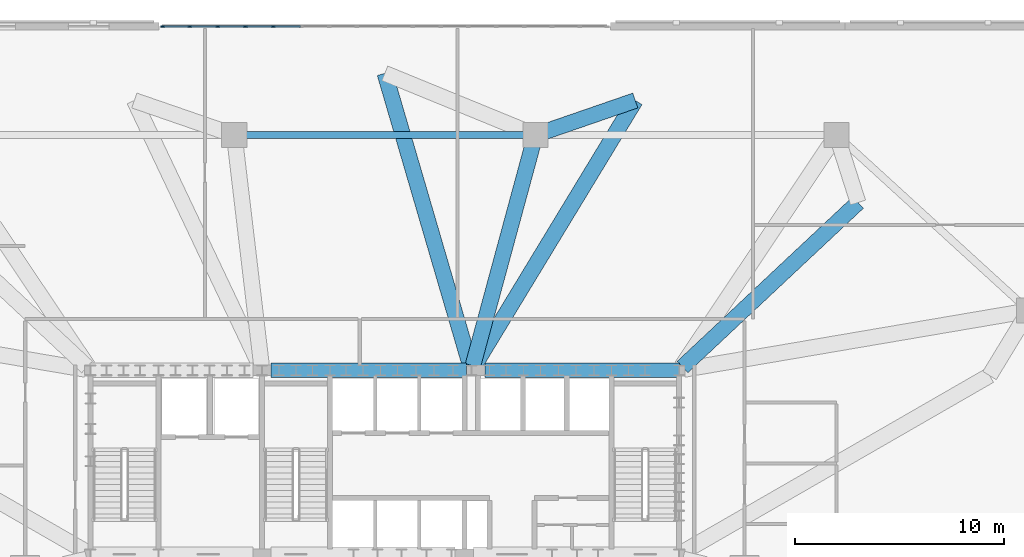
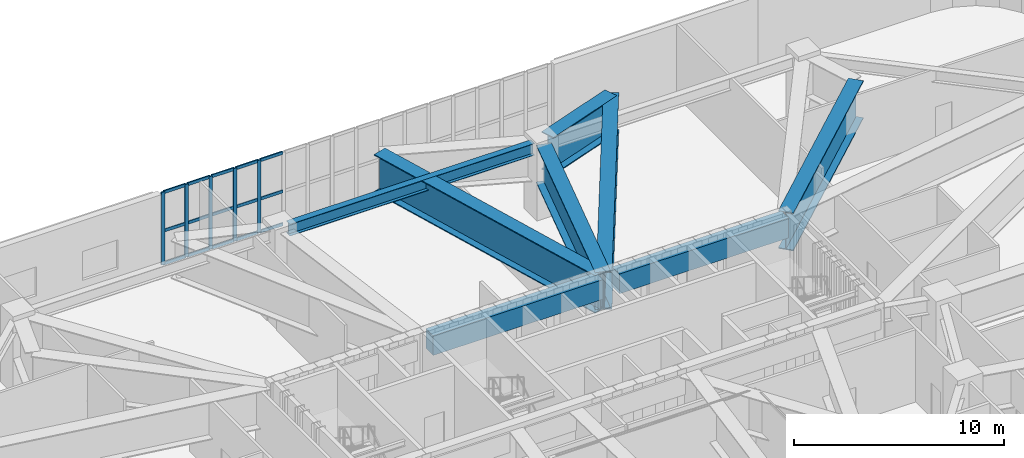
# One storey, part 10 of 26: 20 members, 8 beams, 1 element without a shape of its own.
"""IFC4 building model written with IfcOpenShell, lengths in metres."""

from ifc_helpers import new_model, si_unit, direction, frame, origin, origin_2d, place, context, subcontext, project, spatial, rectangle, i_section, extrude, material, material_profile, profile_set, type_object, element, aggregate, save


model = new_model("IFC4")

# Units and contexts
model_context = context("Model", 3, precision=1e-05, world=origin(), true_north=direction((0.0, 1.0)))
body_context = subcontext(model_context, "Body", "Model", "MODEL_VIEW")
ifc_project = project(units=[si_unit("LENGTHUNIT", "METRE"), si_unit("AREAUNIT", "SQUARE_METRE"), si_unit("VOLUMEUNIT", "CUBIC_METRE"), si_unit("PLANEANGLEUNIT", "RADIAN"), si_unit("MASSUNIT", "GRAM", prefix="KILO")], contexts=[model_context])

# Site, building, storey
site_placement = place(None, origin())
site = spatial("IfcSite", under=ifc_project, at=site_placement, CompositionType="ELEMENT")
building_placement = place(site_placement, origin())
building = spatial("IfcBuilding", under=site, at=building_placement, Name="Haldorwick Loom Tower", CompositionType="ELEMENT")
storey_placement = place(building_placement, frame((0.0, 0.0, 19.5)))
storey = spatial("IfcBuildingStorey", under=building, at=storey_placement, Name="L04", CompositionType="ELEMENT", Elevation=19.5)

# Curtain wall, members
ifc_material_1 = material(Name="Thermally Broken Anodized Aluminium Curtain Wall Framing", Category="aluminium")
curtain_wall_type = type_object("IfcCurtainWallType", Name="ARC-CW-02", PredefinedType="NOTDEFINED", material=ifc_material_1)
curtain_wall_placement = place(storey_placement, origin())
curtain_wall = element("IfcCurtainWall", 1, at=curtain_wall_placement, inside=storey, type_object=curtain_wall_type, Name="L04 Facade Curtain Wall CW-02 Bay 19", PredefinedType="NOTDEFINED")
ifc_material_profile_1 = material_profile(ifc_material_1, rectangle(XDim=0.070068359375, YDim=0.195068359375, at=origin_2d()), Name="ALU_MUL_70X195", Category="aluminium")
ifc_profile_set_1 = profile_set([ifc_material_profile_1], Name="Thermally Broken Anodized Aluminium Curtain Wall Framing")
member_type_1 = type_object("IfcMemberType", Name="ARC-CWM-02", PredefinedType="MULLION", material=ifc_profile_set_1)
member_1_placement = place(storey_placement, frame((30.669921875, 52.0, 0.0), z_axis=(0.0, 0.0, 1.0), x_axis=(0.0, -1.0, 0.0)))
member_1 = element("IfcMember", 2, at=member_1_placement, type_object=member_type_1, Name="CW-02 mullion 13", PredefinedType="MULLION", context=body_context, shape_type="SweptSolid", body=[
    extrude(rectangle(XDim=0.070068359375, YDim=0.195068359375, at=origin_2d()), origin(), (0.0, 0.0, 1.0), 4.219970703125),
])
member_2_placement = place(storey_placement, frame((29.33740234375, 52.0, 0.0), z_axis=(0.0, 0.0, 1.0), x_axis=(0.0, -1.0, 0.0)))
member_2 = element("IfcMember", 3, at=member_2_placement, type_object=member_type_1, Name="CW-02 mullion 14", PredefinedType="MULLION", context=body_context, shape_type="SweptSolid", body=[
    extrude(rectangle(XDim=0.070068359375, YDim=0.195068359375, at=origin_2d()), origin(), (0.0, 0.0, 1.0), 4.219970703125),
])
member_3_placement = place(storey_placement, frame((28.0048828125, 52.0, 0.0), z_axis=(0.0, 0.0, 1.0), x_axis=(0.0, -1.0, 0.0)))
member_3 = element("IfcMember", 4, at=member_3_placement, type_object=member_type_1, Name="CW-02 mullion 15", PredefinedType="MULLION", context=body_context, shape_type="SweptSolid", body=[
    extrude(rectangle(XDim=0.070068359375, YDim=0.195068359375, at=origin_2d()), origin(), (0.0, 0.0, 1.0), 4.219970703125),
])
member_4_placement = place(storey_placement, frame((26.672607421875, 52.0, 0.0), z_axis=(0.0, 0.0, 1.0), x_axis=(0.0, -1.0, 0.0)))
member_4 = element("IfcMember", 5, at=member_4_placement, type_object=member_type_1, Name="CW-02 mullion 16", PredefinedType="MULLION", context=body_context, shape_type="SweptSolid", body=[
    extrude(rectangle(XDim=0.070068359375, YDim=0.195068359375, at=origin_2d()), origin(), (0.0, 0.0, 1.0), 4.219970703125),
])
member_5_placement = place(storey_placement, frame((25.375, 52.0, 0.0), z_axis=(0.0, 0.0, 1.0), x_axis=(0.0, -1.0, 0.0)))
member_5 = element("IfcMember", 6, at=member_5_placement, type_object=member_type_1, Name="CW-02 mullion 17", PredefinedType="MULLION", context=body_context, shape_type="SweptSolid", body=[
    extrude(rectangle(XDim=0.070068359375, YDim=0.195068359375, at=origin_2d()), origin(), (0.0, 0.0, 1.0), 4.219970703125),
])
ifc_material_profile_2 = material_profile(ifc_material_1, rectangle(XDim=0.070068359375, YDim=0.175048828125, at=origin_2d()), Name="ALU_TRN_70X175", Category="aluminium")
ifc_profile_set_2 = profile_set([ifc_material_profile_2], Name="Thermally Broken Anodized Aluminium Curtain Wall Framing")
member_type_2 = type_object("IfcMemberType", Name="ARC-CWT-02", PredefinedType="USERDEFINED", material=ifc_profile_set_2)
member_6_placement = place(storey_placement, frame((31.967529296875, 52.0, 0.034912109375), z_axis=(-1.0, 0.0, 0.0), x_axis=(0.0, -1.0, 0.0)))
member_6 = element("IfcMember", 7, at=member_6_placement, type_object=member_type_2, Name="CW-02 transom 12.1", ObjectType="TRANSOM", PredefinedType="USERDEFINED", context=body_context, shape_type="SweptSolid", body=[
    extrude(rectangle(XDim=0.070068359375, YDim=0.175048828125, at=origin_2d()), origin(), (0.0, 0.0, 1.0), 1.262451171875),
])
member_7_placement = place(storey_placement, frame((31.967529296875, 52.0, 1.949951171875), z_axis=(-1.0, 0.0, 0.0), x_axis=(0.0, -1.0, 0.0)))
member_7 = element("IfcMember", 8, at=member_7_placement, type_object=member_type_2, Name="CW-02 transom 12.2", ObjectType="TRANSOM", PredefinedType="USERDEFINED", context=body_context, shape_type="SweptSolid", body=[
    extrude(rectangle(XDim=0.070068359375, YDim=0.175048828125, at=origin_2d()), origin(), (0.0, 0.0, 1.0), 1.262451171875),
])
member_8_placement = place(storey_placement, frame((31.967529296875, 52.0, 4.18505859375), z_axis=(-1.0, 0.0, 0.0), x_axis=(0.0, -1.0, 0.0)))
member_8 = element("IfcMember", 9, at=member_8_placement, type_object=member_type_2, Name="CW-02 transom 12.3", ObjectType="TRANSOM", PredefinedType="USERDEFINED", context=body_context, shape_type="SweptSolid", body=[
    extrude(rectangle(XDim=0.070068359375, YDim=0.175048828125, at=origin_2d()), origin(), (0.0, 0.0, 1.0), 1.262451171875),
])
member_9_placement = place(storey_placement, frame((30.635009765625, 52.0, 0.034912109375), z_axis=(-1.0, 0.0, 0.0), x_axis=(0.0, -1.0, 0.0)))
member_9 = element("IfcMember", 10, at=member_9_placement, type_object=member_type_2, Name="CW-02 transom 13.1", ObjectType="TRANSOM", PredefinedType="USERDEFINED", context=body_context, shape_type="SweptSolid", body=[
    extrude(rectangle(XDim=0.070068359375, YDim=0.175048828125, at=origin_2d()), origin(), (0.0, 0.0, 1.0), 1.262451171875),
])
member_10_placement = place(storey_placement, frame((30.635009765625, 52.0, 1.949951171875), z_axis=(-1.0, 0.0, 0.0), x_axis=(0.0, -1.0, 0.0)))
member_10 = element("IfcMember", 11, at=member_10_placement, type_object=member_type_2, Name="CW-02 transom 13.2", ObjectType="TRANSOM", PredefinedType="USERDEFINED", context=body_context, shape_type="SweptSolid", body=[
    extrude(rectangle(XDim=0.070068359375, YDim=0.175048828125, at=origin_2d()), origin(), (0.0, 0.0, 1.0), 1.262451171875),
])
member_11_placement = place(storey_placement, frame((30.635009765625, 52.0, 4.18505859375), z_axis=(-1.0, 0.0, 0.0), x_axis=(0.0, -1.0, 0.0)))
member_11 = element("IfcMember", 12, at=member_11_placement, type_object=member_type_2, Name="CW-02 transom 13.3", ObjectType="TRANSOM", PredefinedType="USERDEFINED", context=body_context, shape_type="SweptSolid", body=[
    extrude(rectangle(XDim=0.070068359375, YDim=0.175048828125, at=origin_2d()), origin(), (0.0, 0.0, 1.0), 1.262451171875),
])
member_12_placement = place(storey_placement, frame((29.302490234375, 52.0, 0.034912109375), z_axis=(-1.0, 0.0, 0.0), x_axis=(0.0, -1.0, 0.0)))
member_12 = element("IfcMember", 13, at=member_12_placement, type_object=member_type_2, Name="CW-02 transom 14.1", ObjectType="TRANSOM", PredefinedType="USERDEFINED", context=body_context, shape_type="SweptSolid", body=[
    extrude(rectangle(XDim=0.070068359375, YDim=0.175048828125, at=origin_2d()), origin(), (0.0, 0.0, 1.0), 1.262451171875),
])
member_13_placement = place(storey_placement, frame((29.302490234375, 52.0, 1.949951171875), z_axis=(-1.0, 0.0, 0.0), x_axis=(0.0, -1.0, 0.0)))
member_13 = element("IfcMember", 14, at=member_13_placement, type_object=member_type_2, Name="CW-02 transom 14.2", ObjectType="TRANSOM", PredefinedType="USERDEFINED", context=body_context, shape_type="SweptSolid", body=[
    extrude(rectangle(XDim=0.070068359375, YDim=0.175048828125, at=origin_2d()), origin(), (0.0, 0.0, 1.0), 1.262451171875),
])
member_14_placement = place(storey_placement, frame((29.302490234375, 52.0, 4.18505859375), z_axis=(-1.0, 0.0, 0.0), x_axis=(0.0, -1.0, 0.0)))
member_14 = element("IfcMember", 15, at=member_14_placement, type_object=member_type_2, Name="CW-02 transom 14.3", ObjectType="TRANSOM", PredefinedType="USERDEFINED", context=body_context, shape_type="SweptSolid", body=[
    extrude(rectangle(XDim=0.070068359375, YDim=0.175048828125, at=origin_2d()), origin(), (0.0, 0.0, 1.0), 1.262451171875),
])
member_15_placement = place(storey_placement, frame((27.969970703125, 52.0, 0.034912109375), z_axis=(-1.0, 0.0, 0.0), x_axis=(0.0, -1.0, 0.0)))
member_15 = element("IfcMember", 16, at=member_15_placement, type_object=member_type_2, Name="CW-02 transom 15.1", ObjectType="TRANSOM", PredefinedType="USERDEFINED", context=body_context, shape_type="SweptSolid", body=[
    extrude(rectangle(XDim=0.070068359375, YDim=0.175048828125, at=origin_2d()), origin(), (0.0, 0.0, 1.0), 1.262451171875),
])
member_16_placement = place(storey_placement, frame((27.969970703125, 52.0, 1.949951171875), z_axis=(-1.0, 0.0, 0.0), x_axis=(0.0, -1.0, 0.0)))
member_16 = element("IfcMember", 17, at=member_16_placement, type_object=member_type_2, Name="CW-02 transom 15.2", ObjectType="TRANSOM", PredefinedType="USERDEFINED", context=body_context, shape_type="SweptSolid", body=[
    extrude(rectangle(XDim=0.070068359375, YDim=0.175048828125, at=origin_2d()), origin(), (0.0, 0.0, 1.0), 1.262451171875),
])
member_17_placement = place(storey_placement, frame((27.969970703125, 52.0, 4.18505859375), z_axis=(-1.0, 0.0, 0.0), x_axis=(0.0, -1.0, 0.0)))
member_17 = element("IfcMember", 18, at=member_17_placement, type_object=member_type_2, Name="CW-02 transom 15.3", ObjectType="TRANSOM", PredefinedType="USERDEFINED", context=body_context, shape_type="SweptSolid", body=[
    extrude(rectangle(XDim=0.070068359375, YDim=0.175048828125, at=origin_2d()), origin(), (0.0, 0.0, 1.0), 1.262451171875),
])
member_18_placement = place(storey_placement, frame((26.637451171875, 52.0, 0.034912109375), z_axis=(-1.0, 0.0, 0.0), x_axis=(0.0, -1.0, 0.0)))
member_18 = element("IfcMember", 19, at=member_18_placement, type_object=member_type_2, Name="CW-02 transom 16.1", ObjectType="TRANSOM", PredefinedType="USERDEFINED", context=body_context, shape_type="SweptSolid", body=[
    extrude(rectangle(XDim=0.070068359375, YDim=0.175048828125, at=origin_2d()), origin(), (0.0, 0.0, 1.0), 1.2275390625),
])
member_19_placement = place(storey_placement, frame((26.637451171875, 52.0, 1.949951171875), z_axis=(-1.0, 0.0, 0.0), x_axis=(0.0, -1.0, 0.0)))
member_19 = element("IfcMember", 20, at=member_19_placement, type_object=member_type_2, Name="CW-02 transom 16.2", ObjectType="TRANSOM", PredefinedType="USERDEFINED", context=body_context, shape_type="SweptSolid", body=[
    extrude(rectangle(XDim=0.070068359375, YDim=0.175048828125, at=origin_2d()), origin(), (0.0, 0.0, 1.0), 1.2275390625),
])
member_20_placement = place(storey_placement, frame((26.637451171875, 52.0, 4.18505859375), z_axis=(-1.0, 0.0, 0.0), x_axis=(0.0, -1.0, 0.0)))
member_20 = element("IfcMember", 21, at=member_20_placement, type_object=member_type_2, Name="CW-02 transom 16.3", ObjectType="TRANSOM", PredefinedType="USERDEFINED", context=body_context, shape_type="SweptSolid", body=[
    extrude(rectangle(XDim=0.070068359375, YDim=0.175048828125, at=origin_2d()), origin(), (0.0, 0.0, 1.0), 1.2275390625),
])
aggregate(curtain_wall, [member_1, member_2, member_3, member_4, member_5, member_6, member_7, member_8, member_9, member_10, member_11, member_12, member_13, member_14, member_15, member_16, member_17, member_18, member_19, member_20])

# Beams
ifc_material_2 = material(Name="Concrete C60 (60 MPa)", Category="concrete")
ifc_material_profile_3 = material_profile(ifc_material_2, rectangle(XDim=0.699951171875, YDim=1.14990234375, at=origin_2d()), Name="RC700X1150", Category="concrete")
ifc_profile_set_3 = profile_set([ifc_material_profile_3], Name="Concrete C60 (60 MPa)")
beam_type_1 = type_object("IfcBeamType", Name="STR-BM-CB1150", PredefinedType="LINTEL", material=ifc_profile_set_3)
beam_1_placement = place(storey_placement, frame((30.550048828125, 35.550048828125, 3.64501953125), z_axis=(1.0, 0.0, 0.0), x_axis=(0.0, 1.0, 0.0)))
element("IfcBeam", 22, at=beam_1_placement, inside=storey, type_object=beam_type_1, Name="L04 Core Coupling Beam CB-N2", PredefinedType="LINTEL", context=body_context, shape_type="SweptSolid", body=[
    extrude(rectangle(XDim=0.699951171875, YDim=1.14990234375, at=origin_2d()), origin(), (0.0, 0.0, 1.0), 9.349853515625),
])
beam_2_placement = place(storey_placement, frame((40.800048828125, 35.550048828125, 3.64501953125), z_axis=(1.0, 0.0, 0.0), x_axis=(0.0, 1.0, 0.0)))
element("IfcBeam", 23, at=beam_2_placement, inside=storey, type_object=beam_type_1, Name="L04 Core Coupling Beam CB-N3", PredefinedType="LINTEL", context=body_context, shape_type="SweptSolid", body=[
    extrude(rectangle(XDim=0.699951171875, YDim=1.14990234375, at=origin_2d()), origin(), (0.0, 0.0, 1.0), 9.300048828125),
])
ifc_material_3 = material(Name="Steel CSA G40.21 350W", Category="steel")
ifc_material_profile_4 = material_profile(ifc_material_3, i_section(OverallWidth=0.35498046875, OverallDepth=0.695068359375, WebThickness=0.015380859375, FlangeThickness=0.02490234375, at=origin_2d()), Name="W690X217", Category="steel")
ifc_profile_set_4 = profile_set([ifc_material_profile_4], Name="Steel CSA G40.21 350W")
beam_type_2 = type_object("IfcBeamType", Name="STR-BM-SP690", PredefinedType="SPANDREL", material=ifc_profile_set_4)
beam_3_placement = place(storey_placement, frame((42.719970703125, 46.800048828125, 3.87255859375), z_axis=(-1.0, 0.0, 0.0), x_axis=(0.0, -1.0, 0.0)))
element("IfcBeam", 24, at=beam_3_placement, inside=storey, type_object=beam_type_2, Name="L04 Podium Spandrel PSP-N2", PredefinedType="SPANDREL", context=body_context, shape_type="SweptSolid", body=[
    extrude(i_section(OverallWidth=0.35498046875, OverallDepth=0.695068359375, WebThickness=0.015380859375, FlangeThickness=0.02490234375, at=origin_2d()), origin(), (0.0, 0.0, 1.0), 13.43994140625),
])
ifc_material_4 = material(Name="Steel CSA G40.21 350WT", Category="steel")
ifc_material_profile_5 = material_profile(ifc_material_4, i_section(OverallWidth=0.75, OverallDepth=2.199951171875, WebThickness=0.030029296875, FlangeThickness=0.054931640625, at=origin_2d()), Name="WWF2200X750", Category="steel")
ifc_profile_set_5 = profile_set([ifc_material_profile_5], Name="Steel CSA G40.21 350WT")
beam_type_3 = type_object("IfcBeamType", Name="STR-BM-TG2200", PredefinedType="BEAM", material=ifc_profile_set_5)
beam_4_placement = place(storey_placement, frame((43.082275390625, 46.36572265625, 3.1201171875), z_axis=(-0.261655396266, -0.965161361434, 0.0), x_axis=(0.965161361434, -0.261655396266, 0.0)))
element("IfcBeam", 25, at=beam_4_placement, inside=storey, type_object=beam_type_3, Name="L04 Podium Primary Girder PG-14", PredefinedType="BEAM", context=body_context, shape_type="SweptSolid", body=[
    extrude(i_section(OverallWidth=0.75, OverallDepth=2.199951171875, WebThickness=0.030029296875, FlangeThickness=0.054931640625, at=origin_2d()), origin(), (0.0, 0.0, 1.0), 10.981201171875),
])
beam_5_placement = place(storey_placement, frame((50.234130859375, 35.703857421875, 3.1201171875), z_axis=(0.729692020561, 0.683775953899, 0.0), x_axis=(-0.683775953899, 0.729692020561, 0.0)))
element("IfcBeam", 26, at=beam_5_placement, inside=storey, type_object=beam_type_3, Name="L04 Radial Transfer Girder 3 Inner", PredefinedType="BEAM", context=body_context, shape_type="SweptSolid", body=[
    extrude(i_section(OverallWidth=0.75, OverallDepth=2.199951171875, WebThickness=0.030029296875, FlangeThickness=0.054931640625, at=origin_2d()), origin(), (0.0, 0.0, 1.0), 11.506103515625),
])
beam_6_placement = place(storey_placement, frame((40.2666015625, 35.742431640625, 3.1201171875), z_axis=(0.518781394953, 0.854906933093, 0.0), x_axis=(-0.854906933093, 0.518781394953, 0.0)))
element("IfcBeam", 27, at=beam_6_placement, inside=storey, type_object=beam_type_3, Name="L04 Radial Transfer Girder 4 Inner", PredefinedType="BEAM", context=body_context, shape_type="SweptSolid", body=[
    extrude(i_section(OverallWidth=0.75, OverallDepth=2.199951171875, WebThickness=0.030029296875, FlangeThickness=0.054931640625, at=origin_2d()), origin(), (0.0, 0.0, 1.0), 14.864501953125),
])
beam_7_placement = place(storey_placement, frame((47.97802734375, 48.4501953125, 3.1201171875), z_axis=(-0.945224709216, -0.326420356422, 0.0), x_axis=(0.326420356422, -0.945224709216, 0.0)))
element("IfcBeam", 28, at=beam_7_placement, inside=storey, type_object=beam_type_3, Name="L04 Radial Transfer Girder 4 Outer", PredefinedType="BEAM", context=body_context, shape_type="SweptSolid", body=[
    extrude(i_section(OverallWidth=0.75, OverallDepth=2.199951171875, WebThickness=0.030029296875, FlangeThickness=0.054931640625, at=origin_2d()), origin(), (0.0, 0.0, 1.0), 4.60498046875),
])
beam_8_placement = place(storey_placement, frame((40.0869140625, 35.76611328125, 3.1201171875), z_axis=(-0.280523763553, 0.959847080572, 0.0), x_axis=(-0.959847080572, -0.280523763553, 0.0)))
element("IfcBeam", 29, at=beam_8_placement, inside=storey, type_object=beam_type_3, Name="L04 Radial Transfer Girder 5 Inner", PredefinedType="BEAM", context=body_context, shape_type="SweptSolid", body=[
    extrude(i_section(OverallWidth=0.75, OverallDepth=2.199951171875, WebThickness=0.030029296875, FlangeThickness=0.054931640625, at=origin_2d()), origin(), (0.0, 0.0, 1.0), 14.56884765625),
])

save(model, "model.ifc")
